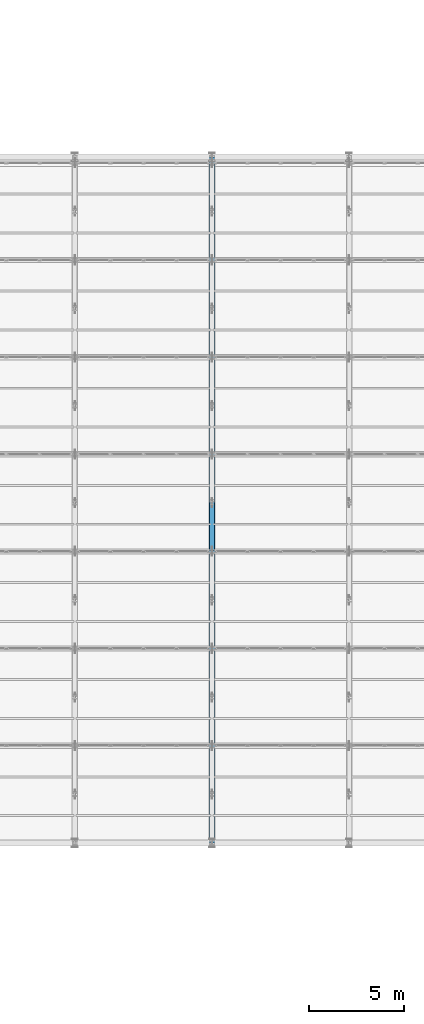
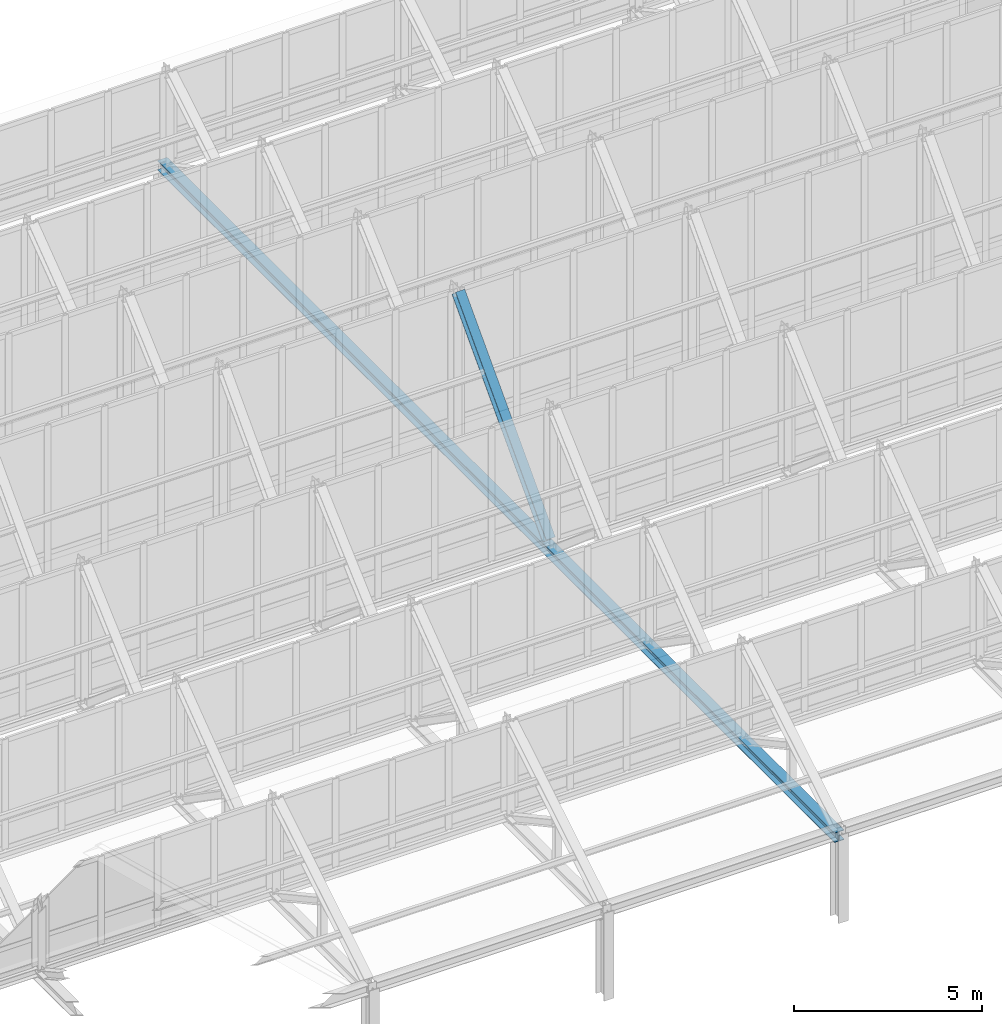
# One storey, part 51 of 157: 2 members.
"""IFC4 building model written with IfcOpenShell, lengths in metres."""

import ifcopenshell
import ifcopenshell.guid

model = None  # the IFC model being written
_history = None  # IfcOwnerHistory: only IFC2X3 demands one
_inside = {}  # id of a spatial element -> (the spatial element, [elements in it])
_under = {}  # id of a project, library or spatial element -> (it, [spatial elements below it])
_declared = {}  # id of a project -> (the project, [libraries it declares])
_typed = {}  # id of a type object -> (the type object, [elements of that type])
_made_of = {}  # id of a material, layer set ... -> (it, [elements and type objects made of it])


def new_model(schema):
    """Start an empty IFC model of exactly this schema.

    Asked for "IFC4X3", IfcOpenShell would pick the latest addendum, in which some entities
    have other attributes; the version numbers below select the first issue.
    IFC2X3 requires an IfcOwnerHistory on every rooted entity: one is made here for all.
    """
    global model, _history
    if schema == "IFC4X3":
        model = ifcopenshell.file(schema_version=(4, 3, 0, 0))
    else:
        model = ifcopenshell.file(schema=schema)
    _inside.clear()
    _under.clear()
    _declared.clear()
    _typed.clear()
    _made_of.clear()
    _history = None
    if model.schema == "IFC2X3":
        org = make("IfcOrganization", Name="unknown")
        user = make(
            "IfcPersonAndOrganization",
            ThePerson=make("IfcPerson", FamilyName="unknown"),
            TheOrganization=org,
        )
        app = make(
            "IfcApplication",
            ApplicationDeveloper=org,
            Version="unknown",
            ApplicationFullName="unknown",
            ApplicationIdentifier="unknown",
        )
        _history = make(
            "IfcOwnerHistory",
            OwningUser=user,
            OwningApplication=app,
            ChangeAction="ADDED",
            CreationDate=0,
        )
    return model


def make(cls, **values):
    """One entity of the class cls with the attributes given. An attribute that is None is left unset."""
    return model.create_entity(
        cls, **{name: value for name, value in values.items() if value is not None}
    )


def rooted(cls, **values):
    """An entity with a GlobalId (a new one), such as an element, a storey or a relation."""
    return make(cls, GlobalId=ifcopenshell.guid.new(), OwnerHistory=_history, **values)


def si_unit(unit_type, name, prefix=None):
    """IfcSIUnit, for example si_unit("LENGTHUNIT", "METRE", prefix="MILLI")."""
    return make("IfcSIUnit", UnitType=unit_type, Prefix=prefix, Name=name)


def assignment(units):
    """IfcUnitAssignment: the units of a project."""
    return None if units is None else make("IfcUnitAssignment", Units=units)


def point(xyz):
    """IfcCartesianPoint."""
    return None if xyz is None else make("IfcCartesianPoint", Coordinates=xyz)


def direction(xyz):
    """IfcDirection."""
    return None if xyz is None else make("IfcDirection", DirectionRatios=xyz)


def frame(location, z_axis=None, x_axis=None):
    """IfcAxis2Placement3D, a coordinate frame: its origin and axes. An axis left out is left unset."""
    return make(
        "IfcAxis2Placement3D",
        Location=point(location),
        Axis=direction(z_axis),
        RefDirection=direction(x_axis),
    )


def frame_2d(location, x_axis=None):
    """IfcAxis2Placement2D, a coordinate frame in the plane: its origin and x axis."""
    return make(
        "IfcAxis2Placement2D", Location=point(location), RefDirection=direction(x_axis)
    )


def origin():
    """The frame at (0, 0, 0) with its axes left unset."""
    return frame((0.0, 0.0, 0.0))


def origin_2d():
    """The frame at (0, 0) in the plane with its x axis left unset."""
    return frame_2d((0.0, 0.0))


def place(relative_to, where):
    """IfcLocalPlacement: puts the frame where relative to a parent placement (None: the world)."""
    return make(
        "IfcLocalPlacement", PlacementRelTo=relative_to, RelativePlacement=where
    )


def context(
    kind, dimensions, precision=None, world=None, true_north=None, identifier=None
):
    """IfcGeometricRepresentationContext, for example the 3D "Model" context."""
    return make(
        "IfcGeometricRepresentationContext",
        ContextIdentifier=identifier,
        ContextType=kind,
        CoordinateSpaceDimension=dimensions,
        Precision=precision,
        WorldCoordinateSystem=world,
        TrueNorth=true_north,
    )


def subcontext(parent, identifier, kind, view, scale=None):
    """IfcGeometricRepresentationSubContext, for example "Body" below "Model"."""
    return make(
        "IfcGeometricRepresentationSubContext",
        ContextIdentifier=identifier,
        ContextType=kind,
        ParentContext=parent,
        TargetScale=scale,
        TargetView=view,
    )


def project(units=None, contexts=None):
    """IfcProject with its units and contexts."""
    return rooted(
        "IfcProject",
        Name="project",
        RepresentationContexts=contexts,
        UnitsInContext=assignment(units),
    )


def spatial(cls, under=None, at=None, **own):
    """A site, building, storey or space (cls), placed at a placement, below another one or the project."""
    s = rooted(cls, ObjectPlacement=at, **own)
    if under is not None:
        _under.setdefault(under.id(), (under, []))[1].append(s)
    return s


def profile(cls, at=None, kind="AREA", **sizes):
    """A parametric profile (cls). Its sizes go by their IFC names, for example OverallWidth=200.0."""
    return make(cls, ProfileType=kind, Position=at, **sizes)


def i_section(**sizes):
    """IfcIShapeProfileDef."""
    return profile("IfcIShapeProfileDef", **sizes)


def extrude(swept, where, along, depth):
    """IfcExtrudedAreaSolid: the profile swept, set in the frame where, extruded along a direction by depth."""
    return make(
        "IfcExtrudedAreaSolid",
        SweptArea=swept,
        Position=where,
        ExtrudedDirection=direction(along),
        Depth=depth,
    )


def shape(context_of_items, identifier, shape_type, items):
    """IfcShapeRepresentation: the items that make up one representation, for example the "Body"."""
    return make(
        "IfcShapeRepresentation",
        ContextOfItems=context_of_items,
        RepresentationIdentifier=identifier,
        RepresentationType=shape_type,
        Items=items,
    )


def material(Name=None, Category=None):
    """IfcMaterial."""
    return make("IfcMaterial", Name=Name, Category=Category)


def material_profile(
    of_material, cross_section, Name=None, Category=None, Priority=None
):
    """IfcMaterialProfile: a cross section and its material."""
    return make(
        "IfcMaterialProfile",
        Name=Name,
        Material=of_material,
        Profile=cross_section,
        Priority=Priority,
        Category=Category,
    )


def profile_set(profiles, Name=None, composite=None):
    """IfcMaterialProfileSet."""
    return make(
        "IfcMaterialProfileSet",
        Name=Name,
        MaterialProfiles=profiles,
        CompositeProfile=composite,
    )


def made_of(thing, what):
    """Note that an element or type object is made of a material, layer set ...; save() writes the relation."""
    if what is not None:
        _made_of.setdefault(what.id(), (what, []))[1].append(thing)
    return thing


def type_object(cls, material=None, **own):
    """A type object (cls), such as IfcWallType, which elements share."""
    return made_of(rooted(cls, **own), material)


def element(
    cls,
    number,
    at=None,
    inside=None,
    cuts=None,
    type_object=None,
    material=None,
    context=None,
    identifier="Body",
    shape_type=None,
    held_by="IfcProductDefinitionShape",
    body=None,
    shapes=None,
    **own,
):
    """One element of the class cls, such as IfcWall. Its Tag is "e" and its number.

    at: its placement. inside: the storey or other place that contains it. cuts: it is an
    opening in that element (IfcRelVoidsElement). A single representation is given by context,
    identifier, shape_type and body (its items); several are given by shapes. held_by: the class
    of the entity that holds the representations. save() writes the other relations.
    """
    e = rooted(cls, Tag="e%d" % number, ObjectPlacement=at, **own)
    if body is not None:
        shapes = [shape(context, identifier, shape_type, body)]
    if shapes is not None:
        e.Representation = make(held_by, Representations=shapes)
    if inside is not None:
        _inside.setdefault(inside.id(), (inside, []))[1].append(e)
    if cuts is not None:
        rooted(
            "IfcRelVoidsElement", RelatingBuildingElement=cuts, RelatedOpeningElement=e
        )
    if type_object is not None:
        _typed.setdefault(type_object.id(), (type_object, []))[1].append(e)
    return made_of(e, material)


def aggregate(whole, parts):
    """IfcRelAggregates: a whole, such as a stair, and the parts it consists of."""
    return rooted("IfcRelAggregates", RelatingObject=whole, RelatedObjects=parts)


def save(model, path):
    """Write the relations noted so far, then the file.

    IfcRelAggregates (storeys below a building ...), IfcRelContainedInSpatialStructure (elements
    in a storey), IfcRelDefinesByType, IfcRelAssociatesMaterial and IfcRelDeclares: one each for
    every whole, place, type object, material and project.
    """
    for whole, parts in _under.values():
        aggregate(whole, parts)
    for where, things in _inside.values():
        rooted(
            "IfcRelContainedInSpatialStructure",
            RelatedElements=things,
            RelatingStructure=where,
        )
    for kind, things in _typed.values():
        rooted("IfcRelDefinesByType", RelatedObjects=things, RelatingType=kind)
    for what, things in _made_of.values():
        rooted("IfcRelAssociatesMaterial", RelatedObjects=things, RelatingMaterial=what)
    for by, libraries in _declared.values():
        rooted("IfcRelDeclares", RelatingContext=by, RelatedDefinitions=libraries)
    model.write(path)


model = new_model("IFC4")

# Units and contexts
model_context = context("Model", 3, precision=1e-05, world=origin(), true_north=direction((0.0, 1.0)))
body_context = subcontext(model_context, "Body", "Model", "MODEL_VIEW")
ifc_project = project(units=[si_unit("LENGTHUNIT", "METRE"), si_unit("AREAUNIT", "SQUARE_METRE"), si_unit("VOLUMEUNIT", "CUBIC_METRE"), si_unit("PLANEANGLEUNIT", "RADIAN"), si_unit("MASSUNIT", "GRAM", prefix="KILO")], contexts=[model_context])

# Site, building, storey
site_placement = place(None, origin())
site = spatial("IfcSite", under=ifc_project, at=site_placement, CompositionType="ELEMENT")
building_placement = place(site_placement, origin())
building = spatial("IfcBuilding", under=site, at=building_placement, Name="Suanplinth Sawtooth Commons", CompositionType="ELEMENT")
storey_placement = place(building_placement, frame((0.0, 0.0, 9.0)))
storey = spatial("IfcBuildingStorey", under=building, at=storey_placement, Name="L02", CompositionType="ELEMENT", Elevation=9.0)

# Members
ifc_material = material(Name="Steel S355JR", Category="steel")
ifc_material_profile_1 = material_profile(ifc_material, i_section(OverallWidth=0.300048828125, OverallDepth=0.320068359375, WebThickness=0.011474609375, FlangeThickness=0.0205078125, at=origin_2d()), Name="HEB 320")
ifc_profile_set_1 = profile_set([ifc_material_profile_1], Name="Steel S355JR")
member_type_1 = type_object("IfcMemberType", Name="M-01", PredefinedType="CHORD", material=ifc_profile_set_1)
member_1_placement = place(storey_placement, frame((93.60009765625, 50.39990234375, 2.64990234375), z_axis=(0.0, 1.0, 0.0), x_axis=(-1.0, 0.0, 0.0)))
element("IfcMember", 1, at=member_1_placement, inside=storey, type_object=member_type_1, Name="Sawtooth Truss T5 Bottom Chord", PredefinedType="CHORD", context=body_context, shape_type="SweptSolid", body=[
    extrude(i_section(OverallWidth=0.300048828125, OverallDepth=0.320068359375, WebThickness=0.011474609375, FlangeThickness=0.0205078125, at=origin_2d()), origin(), (0.0, 0.0, 1.0), 36.0),
])
ifc_material_profile_2 = material_profile(ifc_material, i_section(OverallWidth=0.280029296875, OverallDepth=0.280029296875, WebThickness=0.010498046875, FlangeThickness=0.01806640625, at=origin_2d()), Name="HEB 280")
ifc_profile_set_2 = profile_set([ifc_material_profile_2], Name="Steel S355JR")
member_type_2 = type_object("IfcMemberType", Name="M-02", PredefinedType="CHORD", material=ifc_profile_set_2)
member_2_placement = place(storey_placement, frame((93.60009765625, 65.840087890625, 2.919921875), z_axis=(0.0, 0.685431841642, 0.728136793785), x_axis=(-1.0, 0.0, 0.0)))
element("IfcMember", 2, at=member_2_placement, inside=storey, type_object=member_type_2, Name="Sawtooth Truss T5 Top Chord 4", PredefinedType="CHORD", context=body_context, shape_type="SweptSolid", body=[
    extrude(i_section(OverallWidth=0.280029296875, OverallDepth=0.280029296875, WebThickness=0.010498046875, FlangeThickness=0.01806640625, at=origin_2d()), origin(), (0.0, 0.0, 1.0), 7.03173828125),
])

save(model, "model.ifc")
